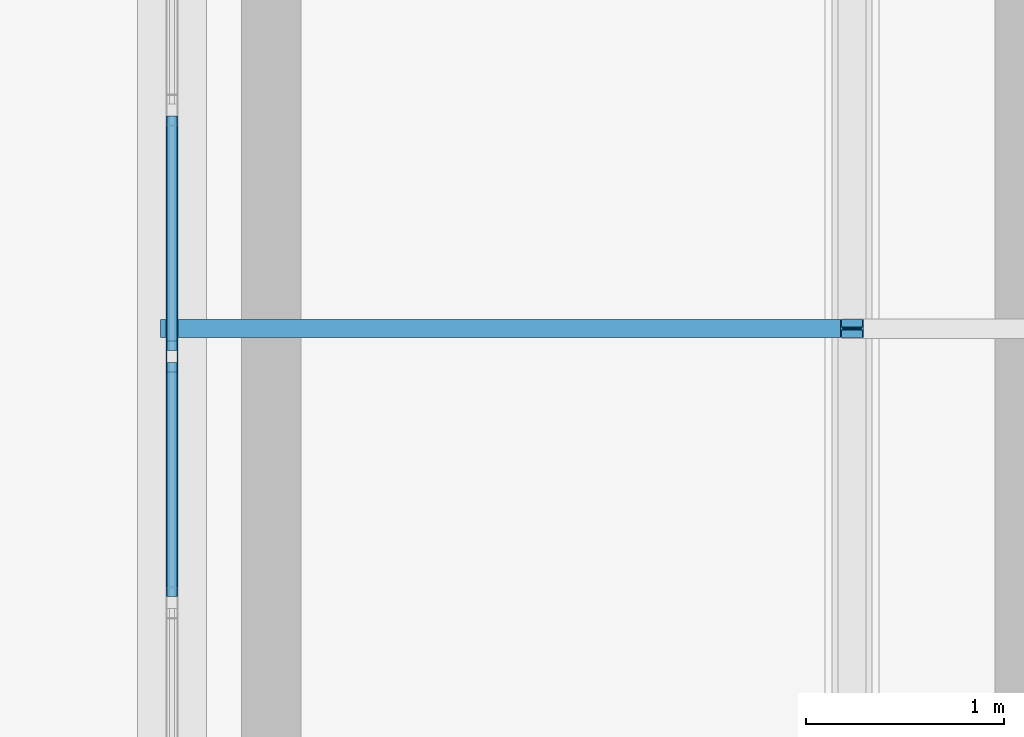
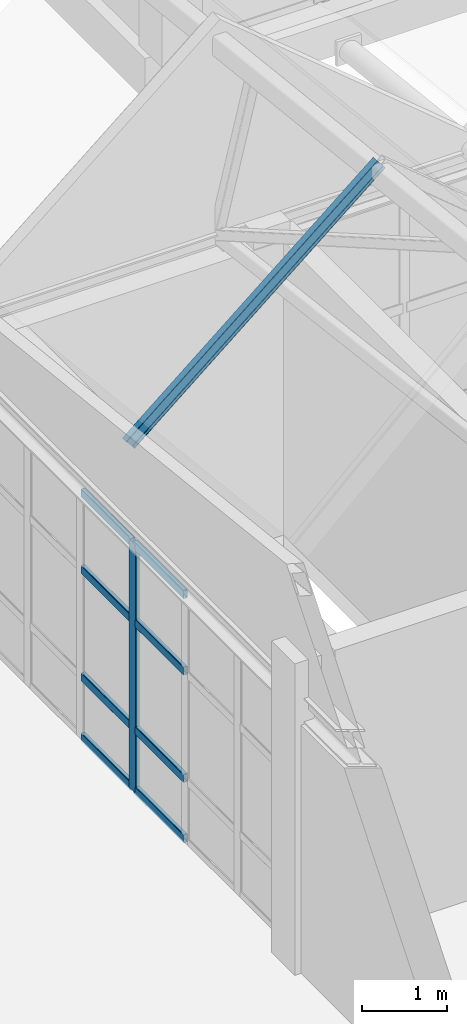
# One storey, part 58 of 183: 10 members, 1 element without a shape of its own.
"""IFC4 building model written with IfcOpenShell, lengths in metres."""

from ifc_helpers import new_model, si_unit, direction, frame, origin, origin_2d, place, context, subcontext, project, spatial, hollow_rectangle, i_section, extrude, material, material_profile, profile_set, type_object, element, aggregate, save


model = new_model("IFC4")

# Units and contexts
model_context = context("Model", 3, precision=1e-05, world=origin(), true_north=direction((0.0, 1.0)))
body_context = subcontext(model_context, "Body", "Model", "MODEL_VIEW")
ifc_project = project(units=[si_unit("LENGTHUNIT", "METRE"), si_unit("AREAUNIT", "SQUARE_METRE"), si_unit("VOLUMEUNIT", "CUBIC_METRE"), si_unit("PLANEANGLEUNIT", "RADIAN"), si_unit("MASSUNIT", "GRAM", prefix="KILO")], contexts=[model_context])

# Site, building, storey
site_placement = place(None, origin())
site = spatial("IfcSite", under=ifc_project, at=site_placement, CompositionType="ELEMENT")
building_placement = place(site_placement, origin())
building = spatial("IfcBuilding", under=site, at=building_placement, Name="Luwemba Playhouse", CompositionType="ELEMENT")
storey_placement = place(building_placement, frame((0.0, 0.0, 4.800048828125)))
storey = spatial("IfcBuildingStorey", under=building, at=storey_placement, Name="L01", CompositionType="ELEMENT", Elevation=4.800048828125)

# Curtain wall, members
ifc_material_1 = material(Name="Solar-control double glazing", Category="glass")
curtain_wall_type = type_object("IfcCurtainWallType", Name="CW-CW116", PredefinedType="USERDEFINED", material=ifc_material_1)
curtain_wall_placement = place(storey_placement, origin())
curtain_wall = element("IfcCurtainWall", 1, at=curtain_wall_placement, inside=storey, type_object=curtain_wall_type, Name="L01 V5E unitised curtain wall 154", ObjectType="UNITISED GLAZING", PredefinedType="USERDEFINED")
ifc_material_2 = material(Name="Aluminium 6063-T6", Category="aluminium")
ifc_material_profile_1 = material_profile(ifc_material_2, hollow_rectangle(XDim=0.06005859375, YDim=0.159912109375, WallThickness=0.00390625, InnerFilletRadius=0.006103515625, OuterFilletRadius=0.010009765625, at=origin_2d()))
ifc_profile_set_1 = profile_set([ifc_material_profile_1], Name="Aluminium 6063-T6")
member_type_1 = type_object("IfcMemberType", Name="CWM-M1", PredefinedType="MULLION", material=ifc_profile_set_1)
member_1_placement = place(storey_placement, frame((124.0, 23.0, 0.0), z_axis=(0.0, 0.0, 1.0), x_axis=(-1.0, 0.0, 0.0)))
member_1 = element("IfcMember", 2, at=member_1_placement, type_object=member_type_1, Name="CW116 mullion 4", PredefinedType="MULLION", context=body_context, shape_type="SweptSolid", body=[
    extrude(hollow_rectangle(XDim=0.06005859375, YDim=0.159912109375, WallThickness=0.00390625, InnerFilletRadius=0.006103515625, OuterFilletRadius=0.010009765625, at=origin_2d()), origin(), (0.0, 0.0, 1.0), 3.5849609375),
])
ifc_material_profile_2 = material_profile(ifc_material_2, hollow_rectangle(XDim=0.06005859375, YDim=0.1201171875, WallThickness=0.00390625, InnerFilletRadius=0.006103515625, OuterFilletRadius=0.010009765625, at=origin_2d()))
ifc_profile_set_2 = profile_set([ifc_material_profile_2], Name="Aluminium 6063-T6")
member_type_2 = type_object("IfcMemberType", Name="CWT-T1", PredefinedType="USERDEFINED", material=ifc_profile_set_2)
member_2_placement = place(storey_placement, frame((124.0, 21.788330078125, 0.030029296875), z_axis=(0.0, 1.0, 0.0), x_axis=(-1.0, 0.0, 0.0)))
member_2 = element("IfcMember", 3, at=member_2_placement, type_object=member_type_2, Name="CW116 transom 3.1", ObjectType="TRANSOM", PredefinedType="USERDEFINED", context=body_context, shape_type="SweptSolid", body=[
    extrude(hollow_rectangle(XDim=0.06005859375, YDim=0.1201171875, WallThickness=0.00390625, InnerFilletRadius=0.006103515625, OuterFilletRadius=0.010009765625, at=origin_2d()), origin(), (0.0, 0.0, 1.0), 1.181640625),
])
member_3_placement = place(storey_placement, frame((124.0, 21.788330078125, 0.89990234375), z_axis=(0.0, 1.0, 0.0), x_axis=(-1.0, 0.0, 0.0)))
member_3 = element("IfcMember", 4, at=member_3_placement, type_object=member_type_2, Name="CW116 transom 3.2", ObjectType="TRANSOM", PredefinedType="USERDEFINED", context=body_context, shape_type="SweptSolid", body=[
    extrude(hollow_rectangle(XDim=0.06005859375, YDim=0.1201171875, WallThickness=0.00390625, InnerFilletRadius=0.006103515625, OuterFilletRadius=0.010009765625, at=origin_2d()), origin(), (0.0, 0.0, 1.0), 1.181640625),
])
member_4_placement = place(storey_placement, frame((124.0, 21.788330078125, 2.449951171875), z_axis=(0.0, 1.0, 0.0), x_axis=(-1.0, 0.0, 0.0)))
member_4 = element("IfcMember", 5, at=member_4_placement, type_object=member_type_2, Name="CW116 transom 3.3", ObjectType="TRANSOM", PredefinedType="USERDEFINED", context=body_context, shape_type="SweptSolid", body=[
    extrude(hollow_rectangle(XDim=0.06005859375, YDim=0.1201171875, WallThickness=0.00390625, InnerFilletRadius=0.006103515625, OuterFilletRadius=0.010009765625, at=origin_2d()), origin(), (0.0, 0.0, 1.0), 1.181640625),
])
member_5_placement = place(storey_placement, frame((124.0, 21.788330078125, 3.554931640625), z_axis=(0.0, 1.0, 0.0), x_axis=(-1.0, 0.0, 0.0)))
member_5 = element("IfcMember", 6, at=member_5_placement, type_object=member_type_2, Name="CW116 transom 3.4", ObjectType="TRANSOM", PredefinedType="USERDEFINED", context=body_context, shape_type="SweptSolid", body=[
    extrude(hollow_rectangle(XDim=0.06005859375, YDim=0.1201171875, WallThickness=0.00390625, InnerFilletRadius=0.006103515625, OuterFilletRadius=0.010009765625, at=origin_2d()), origin(), (0.0, 0.0, 1.0), 1.181640625),
])
member_6_placement = place(storey_placement, frame((124.0, 23.030029296875, 0.030029296875), z_axis=(0.0, 1.0, 0.0), x_axis=(-1.0, 0.0, 0.0)))
member_6 = element("IfcMember", 7, at=member_6_placement, type_object=member_type_2, Name="CW116 transom 4.1", ObjectType="TRANSOM", PredefinedType="USERDEFINED", context=body_context, shape_type="SweptSolid", body=[
    extrude(hollow_rectangle(XDim=0.06005859375, YDim=0.1201171875, WallThickness=0.00390625, InnerFilletRadius=0.006103515625, OuterFilletRadius=0.010009765625, at=origin_2d()), origin(), (0.0, 0.0, 1.0), 1.181640625),
])
member_7_placement = place(storey_placement, frame((124.0, 23.030029296875, 0.89990234375), z_axis=(0.0, 1.0, 0.0), x_axis=(-1.0, 0.0, 0.0)))
member_7 = element("IfcMember", 8, at=member_7_placement, type_object=member_type_2, Name="CW116 transom 4.2", ObjectType="TRANSOM", PredefinedType="USERDEFINED", context=body_context, shape_type="SweptSolid", body=[
    extrude(hollow_rectangle(XDim=0.06005859375, YDim=0.1201171875, WallThickness=0.00390625, InnerFilletRadius=0.006103515625, OuterFilletRadius=0.010009765625, at=origin_2d()), origin(), (0.0, 0.0, 1.0), 1.181640625),
])
member_8_placement = place(storey_placement, frame((124.0, 23.030029296875, 2.449951171875), z_axis=(0.0, 1.0, 0.0), x_axis=(-1.0, 0.0, 0.0)))
member_8 = element("IfcMember", 9, at=member_8_placement, type_object=member_type_2, Name="CW116 transom 4.3", ObjectType="TRANSOM", PredefinedType="USERDEFINED", context=body_context, shape_type="SweptSolid", body=[
    extrude(hollow_rectangle(XDim=0.06005859375, YDim=0.1201171875, WallThickness=0.00390625, InnerFilletRadius=0.006103515625, OuterFilletRadius=0.010009765625, at=origin_2d()), origin(), (0.0, 0.0, 1.0), 1.181640625),
])
member_9_placement = place(storey_placement, frame((124.0, 23.030029296875, 3.554931640625), z_axis=(0.0, 1.0, 0.0), x_axis=(-1.0, 0.0, 0.0)))
member_9 = element("IfcMember", 10, at=member_9_placement, type_object=member_type_2, Name="CW116 transom 4.4", ObjectType="TRANSOM", PredefinedType="USERDEFINED", context=body_context, shape_type="SweptSolid", body=[
    extrude(hollow_rectangle(XDim=0.06005859375, YDim=0.1201171875, WallThickness=0.00390625, InnerFilletRadius=0.006103515625, OuterFilletRadius=0.010009765625, at=origin_2d()), origin(), (0.0, 0.0, 1.0), 1.181640625),
])
aggregate(curtain_wall, [member_1, member_2, member_3, member_4, member_5, member_6, member_7, member_8, member_9])

# Member
ifc_material_3 = material(Name="Steel S355", Category="steel")
ifc_material_profile_3 = material_profile(ifc_material_3, i_section(OverallWidth=0.091064453125, OverallDepth=0.179931640625, WebThickness=0.00537109375, FlangeThickness=0.008056640625, FilletRadius=0.009033203125, at=origin_2d()))
ifc_profile_set_3 = profile_set([ifc_material_profile_3], Name="Steel S355")
member_type_3 = type_object("IfcMemberType", Name="MEM-MP06", PredefinedType="PURLIN", material=ifc_profile_set_3)
member_10_placement = place(storey_placement, frame((124.0, 23.139892578125, 4.914306640625), z_axis=(0.768364765209, 0.0, 0.640012177685), x_axis=(0.0, 1.0, 0.0)))
element("IfcMember", 11, at=member_10_placement, inside=storey, type_object=member_type_3, Name="Pleated roof purlin 0533", PredefinedType="PURLIN", context=body_context, shape_type="SweptSolid", body=[
    extrude(i_section(OverallWidth=0.091064453125, OverallDepth=0.179931640625, WebThickness=0.00537109375, FlangeThickness=0.008056640625, FilletRadius=0.009033203125, at=origin_2d()), origin(), (0.0, 0.0, 1.0), 4.46240234375),
])

save(model, "model.ifc")
